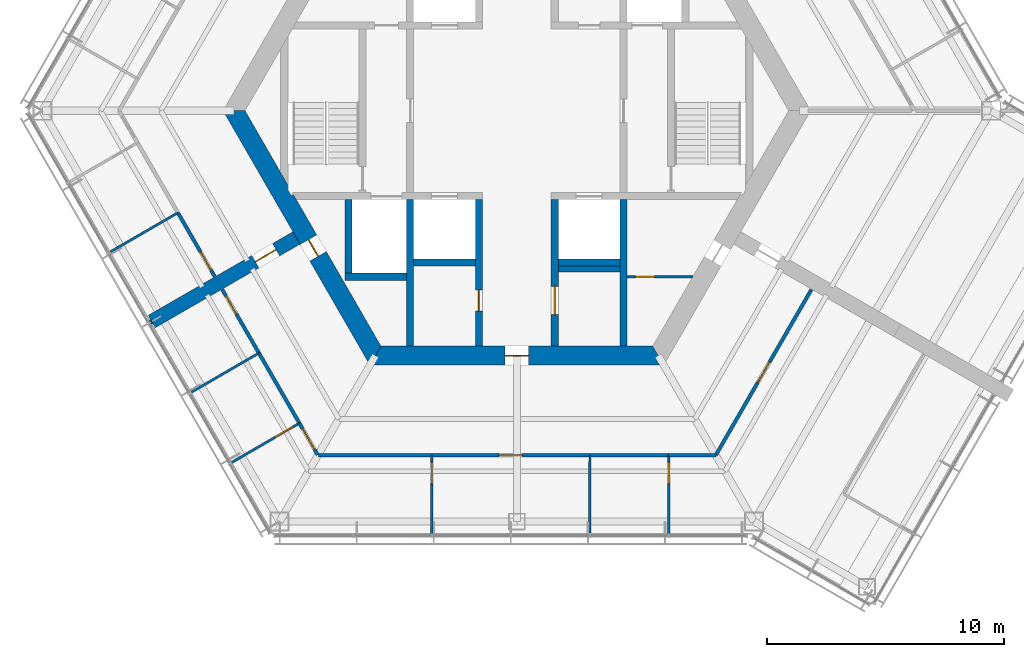
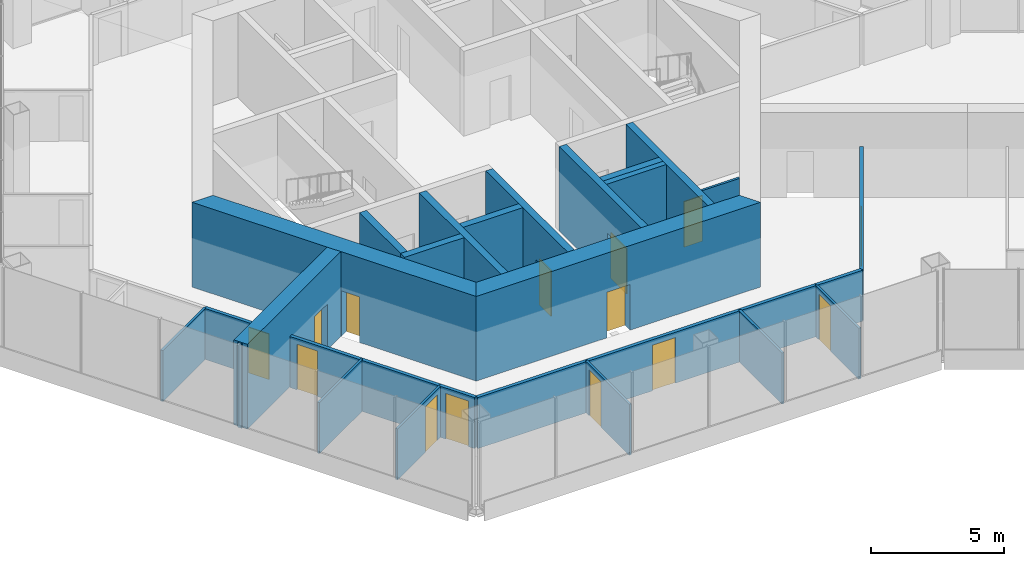
# One storey, part 7 of 13: 29 walls, 14 doors, 14 openings.
"""IFC4 building model written with IfcOpenShell, lengths in metres."""

from ifc_helpers import new_model, si_unit, direction, frame, frame_2d, origin, place, context, subcontext, project, spatial, polyline, rectangle, outline, extrude, material, layer, layer_set, type_object, element, fill, save


model = new_model("IFC4")

# Units and contexts
model_context = context("Model", 3, precision=1e-05, world=origin(), true_north=direction((0.0, 1.0)))
body_context = subcontext(model_context, "Body", "Model", "MODEL_VIEW")
ifc_project = project(units=[si_unit("LENGTHUNIT", "METRE"), si_unit("AREAUNIT", "SQUARE_METRE"), si_unit("VOLUMEUNIT", "CUBIC_METRE"), si_unit("PLANEANGLEUNIT", "RADIAN"), si_unit("MASSUNIT", "GRAM", prefix="KILO")], contexts=[model_context])

# Site, building, storey
site_placement = place(None, origin())
site = spatial("IfcSite", under=ifc_project, at=site_placement, CompositionType="ELEMENT")
building_placement = place(site_placement, origin())
building = spatial("IfcBuilding", under=site, at=building_placement, Name="Kasaneha Research Tower", CompositionType="ELEMENT")
storey_placement = place(building_placement, frame((0.0, 0.0, 298.60009765625)))
storey = spatial("IfcBuildingStorey", under=building, at=storey_placement, Name="L75", CompositionType="ELEMENT", Elevation=298.60009765625)

# Wall, opening, door
ifc_material_1 = material(Name="Concrete Fc60", Category="concrete")
ifc_layer_1 = layer(ifc_material_1, 0.300048828125)
ifc_layer_set_1 = layer_set([ifc_layer_1], Name="Core internal wall 300 Fc60")
wall_type_1 = type_object("IfcWallType", Name="Core internal wall 300 Fc60", PredefinedType="SHEAR", material=ifc_layer_set_1)
wall_1_placement = place(storey_placement, frame((-1.60009765625, -3.75, 0.0), z_axis=(0.0, 0.0, 1.0), x_axis=(0.0, -1.0, 0.0)))
wall_1 = element("IfcWall", 1, at=wall_1_placement, inside=storey, type_object=wall_type_1, Name="Core wall CSW L75", PredefinedType="SHEAR", context=body_context, shape_type="SweptSolid", body=[
    extrude(rectangle(XDim=6.175048828125, YDim=0.300048828125, at=frame_2d((3.08740234375, 0.0))), origin(), (0.0, 0.0, 1.0), 3.89990234375),
])
opening_1_placement = place(wall_1_placement, frame((3.800048828125, 0.0, 0.0)))
opening_1 = element("IfcOpeningElement", 2, at=opening_1_placement, cuts=wall_1, Name="Opening L75-D16", PredefinedType="OPENING", context=body_context, shape_type="SweptSolid", body=[
    extrude(rectangle(XDim=0.89990234375, YDim=2.10009765625, at=frame_2d((0.449951171875, 1.050048828125))), frame((0.0, 0.16015625, 0.0), z_axis=(0.0, -1.0, 0.0), x_axis=(1.0, 0.0, 0.0)), (0.0, 0.0, 1.0), 0.320068359375),
])
ifc_material_2 = material(Name="Steel", Category="steel")
door_type_1 = type_object("IfcDoorType", Name="Riser access door FD60 900x2100", OperationType="NOTDEFINED", PredefinedType="DOOR", material=ifc_material_2)
door_1_placement = place(opening_1_placement, origin())
door_1 = element("IfcDoor", 3, at=door_1_placement, inside=storey, type_object=door_type_1, Name="Electrical riser door L75-D16", OperationType="SINGLE_SWING_LEFT", OverallHeight=2.10009765625, OverallWidth=0.89990234375, PredefinedType="DOOR", context=body_context, shape_type="SweptSolid", body=[
    extrude(rectangle(XDim=0.89990234375, YDim=2.10009765625, at=frame_2d((0.449951171875, 1.050048828125))), frame((0.0, 0.02490234375, 0.0), z_axis=(0.0, -1.0, 0.0), x_axis=(1.0, 0.0, 0.0)), (0.0, 0.0, 1.0), 0.050048828125),
])
fill(opening_1, door_1)

wall_2_placement = place(storey_placement, frame((1.60009765625, -3.75, 0.0), z_axis=(0.0, 0.0, 1.0), x_axis=(0.0, -1.0, 0.0)))
wall_2 = element("IfcWall", 4, at=wall_2_placement, inside=storey, type_object=wall_type_1, Name="Core wall CSE L75", PredefinedType="SHEAR", context=body_context, shape_type="SweptSolid", body=[
    extrude(rectangle(XDim=6.175048828125, YDim=0.300048828125, at=frame_2d((3.08740234375, 0.0))), origin(), (0.0, 0.0, 1.0), 3.89990234375),
])
opening_2_placement = place(wall_2_placement, frame((3.64990234375, 0.0, 0.0)))
opening_2 = element("IfcOpeningElement", 5, at=opening_2_placement, cuts=wall_2, Name="Opening L75-D15", PredefinedType="OPENING", context=body_context, shape_type="SweptSolid", body=[
    extrude(rectangle(XDim=1.199951171875, YDim=2.10009765625, at=frame_2d((0.60009765625, 1.050048828125))), frame((0.0, 0.16015625, 0.0), z_axis=(0.0, -1.0, 0.0), x_axis=(1.0, 0.0, 0.0)), (0.0, 0.0, 1.0), 0.320068359375),
])
ifc_material_3 = material(Name="Steel", Category="steel")
door_type_2 = type_object("IfcDoorType", Name="Accessible toilet sliding door FD20 1200x2100", OperationType="SLIDING_TO_LEFT", PredefinedType="DOOR", material=ifc_material_3)
door_2_placement = place(opening_2_placement, origin())
door_2 = element("IfcDoor", 6, at=door_2_placement, inside=storey, type_object=door_type_2, Name="Accessible WC door L75-D15", OperationType="SLIDING_TO_LEFT", OverallHeight=2.10009765625, OverallWidth=1.199951171875, PredefinedType="DOOR", context=body_context, shape_type="SweptSolid", body=[
    extrude(rectangle(XDim=1.199951171875, YDim=2.10009765625, at=frame_2d((0.60009765625, 1.050048828125))), frame((0.0, 0.02490234375, 0.0), z_axis=(0.0, -1.0, 0.0), x_axis=(1.0, 0.0, 0.0)), (0.0, 0.0, 1.0), 0.050048828125),
])
fill(opening_2, door_2)

# Walls
for number, where, z_axis, x_axis, name in (
    (7, (-4.5, -3.75, 0.0), (0.0, 0.0, 1.0), (0.0, -1.0, 0.0), "Core wall SSW L75"),
    (8, (4.5, -3.75, 0.0), (0.0, 0.0, 1.0), (0.0, -1.0, 0.0), "Core wall SSE L75"),
):
    element("IfcWall", number, at=place(storey_placement, frame(where, z_axis=z_axis, x_axis=x_axis)), inside=storey, type_object=wall_type_1, Name=name, PredefinedType="SHEAR", context=body_context, shape_type="SweptSolid", body=[
        extrude(rectangle(XDim=6.175048828125, YDim=0.300048828125, at=frame_2d((3.08740234375, 0.0))), origin(), (0.0, 0.0, 1.0), 3.89990234375),
    ])
for number, where, z_axis, x_axis, name in (
    (9, (-4.35009765625, -6.39990234375, 0.0), (0.0, 0.0, 1.0), (1.0, 0.0, 0.0), "Core wall S1S L75"),
    (10, (1.75, -6.39990234375, 0.0), (0.0, 0.0, 1.0), (1.0, 0.0, 0.0), "Core wall S3S L75"),
    (11, (-7.25, -7.0, 0.0), (0.0, 0.0, 1.0), (1.0, 0.0, 0.0), "Core wall F2S L75"),
):
    element("IfcWall", number, at=place(storey_placement, frame(where, z_axis=z_axis, x_axis=x_axis)), inside=storey, type_object=wall_type_1, Name=name, PredefinedType="SHEAR", context=body_context, shape_type="SweptSolid", body=[
        extrude(rectangle(XDim=2.60009765625, YDim=0.300048828125, at=frame_2d((1.300048828125, 0.0))), origin(), (0.0, 0.0, 1.0), 3.89990234375),
    ])
wall_3_placement = place(storey_placement, frame((-7.10009765625, -3.75, 0.0), z_axis=(0.0, 0.0, 1.0), x_axis=(0.0, -1.0, 0.0)))
element("IfcWall", 12, at=wall_3_placement, inside=storey, type_object=wall_type_1, Name="Core wall F2W L75", PredefinedType="SHEAR", context=body_context, shape_type="SweptSolid", body=[
    extrude(rectangle(XDim=3.10009765625, YDim=0.300048828125, at=frame_2d((1.550048828125, 0.0))), origin(), (0.0, 0.0, 1.0), 3.89990234375),
])

# Wall, opening, door
ifc_material_4 = material(Name="Concrete Fc60", Category="concrete")
ifc_layer_2 = layer(ifc_material_4, 0.800048828125)
ifc_layer_set_2 = layer_set([ifc_layer_2], Name="Core wall 800 Fc60")
wall_type_2 = type_object("IfcWallType", Name="Core wall 800 Fc60", PredefinedType="SHEAR", material=ifc_layer_set_2)
wall_4_placement = place(storey_placement, frame((-11.92236328125, 0.0, 0.0), z_axis=(0.0, 0.0, 1.0), x_axis=(0.500004296715, -0.866022923061, 0.0)))
wall_4 = element("IfcWall", 13, at=wall_4_placement, inside=storey, type_object=wall_type_2, Name="Core wall 210 L75", PredefinedType="SHEAR", context=body_context, shape_type="SweptSolid", body=[
    extrude(outline(polyline([(-0.23095703125, -0.39990234375), (6.28125, -0.39990234375), (7.081298828125, -0.39990234375), (12.1533203125, -0.39990234375), (11.69140625, 0.39990234375), (7.081298828125, 0.39990234375), (6.28125, 0.39990234375), (0.23095703125, 0.39990234375), (-0.23095703125, -0.39990234375)])), origin(), (0.0, 0.0, 1.0), 3.89990234375),
])
opening_3_placement = place(wall_4_placement, frame((6.28125, 0.0, 0.0)))
opening_3 = element("IfcOpeningElement", 14, at=opening_3_placement, cuts=wall_4, Name="Opening L75-D06", PredefinedType="OPENING", context=body_context, shape_type="SweptSolid", body=[
    extrude(rectangle(XDim=0.800048828125, YDim=2.10009765625, at=frame_2d((0.39990234375, 1.050048828125))), frame((0.0, 0.41015625, 0.0), z_axis=(0.0, -1.0, 0.0), x_axis=(1.0, 0.0, 0.0)), (0.0, 0.0, 1.0), 0.820068359375),
])
ifc_material_5 = material(Name="Steel", Category="steel")
door_type_3 = type_object("IfcDoorType", Name="Riser access door FD60 800x2100", OperationType="NOTDEFINED", PredefinedType="DOOR", material=ifc_material_5)
door_3_placement = place(opening_3_placement, origin())
door_3 = element("IfcDoor", 15, at=door_3_placement, inside=storey, type_object=door_type_3, Name="Duct riser door L75-D06", OperationType="SINGLE_SWING_RIGHT", OverallHeight=2.10009765625, OverallWidth=0.800048828125, PredefinedType="DOOR", context=body_context, shape_type="SweptSolid", body=[
    extrude(rectangle(XDim=0.800048828125, YDim=2.10009765625, at=frame_2d((0.39990234375, 1.050048828125))), frame((0.0, 0.02490234375, 0.0), z_axis=(0.0, -1.0, 0.0), x_axis=(1.0, 0.0, 0.0)), (0.0, 0.0, 1.0), 0.050048828125),
])
fill(opening_3, door_3)

wall_5_placement = place(storey_placement, frame((-5.961181640625, -10.324951171875, 0.0), z_axis=(0.0, 0.0, 1.0), x_axis=(1.0, 0.0, 0.0)))
wall_5 = element("IfcWall", 16, at=wall_5_placement, inside=storey, type_object=wall_type_2, Name="Core wall 270 L75", PredefinedType="SHEAR", context=body_context, shape_type="SweptSolid", body=[
    extrude(outline(polyline([(-0.23095703125, -0.39990234375), (5.461181640625, -0.39990234375), (6.461181640625, -0.39990234375), (12.1533203125, -0.39990234375), (11.69140625, 0.39990234375), (6.461181640625, 0.39990234375), (5.461181640625, 0.39990234375), (0.23095703125, 0.39990234375), (-0.23095703125, -0.39990234375)])), origin(), (0.0, 0.0, 1.0), 3.89990234375),
])
opening_4_placement = place(wall_5_placement, frame((5.461181640625, 0.0, 0.0)))
opening_4 = element("IfcOpeningElement", 17, at=opening_4_placement, cuts=wall_5, Name="Opening L75-D03", PredefinedType="OPENING", context=body_context, shape_type="SweptSolid", body=[
    extrude(rectangle(XDim=1.0, YDim=2.10009765625, at=frame_2d((0.5, 1.050048828125))), frame((0.0, 0.41015625, 0.0), z_axis=(0.0, -1.0, 0.0), x_axis=(1.0, 0.0, 0.0)), (0.0, 0.0, 1.0), 0.820068359375),
])
ifc_material_6 = material(Name="Steel", Category="steel")
door_type_4 = type_object("IfcDoorType", Name="Fire door FD20 1000x2100", OperationType="NOTDEFINED", PredefinedType="DOOR", material=ifc_material_6)
door_4_placement = place(opening_4_placement, origin())
door_4 = element("IfcDoor", 18, at=door_4_placement, inside=storey, type_object=door_type_4, Name="Core door south L75-D03", OperationType="SINGLE_SWING_LEFT", OverallHeight=2.10009765625, OverallWidth=1.0, PredefinedType="DOOR", context=body_context, shape_type="SweptSolid", body=[
    extrude(rectangle(XDim=1.0, YDim=2.10009765625, at=frame_2d((0.5, 1.050048828125))), frame((0.0, 0.02490234375, 0.0), z_axis=(0.0, -1.0, 0.0), x_axis=(1.0, 0.0, 0.0)), (0.0, 0.0, 1.0), 0.050048828125),
])
fill(opening_4, door_4)

ifc_material_7 = material(Name="Gypsum board on steel studs, one layer each side", Category="steel")
ifc_layer_3 = layer(ifc_material_7, 0.10009765625)
ifc_layer_set_3 = layer_set([ifc_layer_3], Name="Office partition 100")
wall_type_3 = type_object("IfcWallType", Name="Office partition 100", PredefinedType="PARTITIONING", material=ifc_layer_set_3)
wall_6_placement = place(storey_placement, frame((4.64990234375, -7.0, 0.0), z_axis=(0.0, 0.0, 1.0), x_axis=(1.0, 0.0, 0.0)))
wall_6 = element("IfcWall", 19, at=wall_6_placement, inside=storey, type_object=wall_type_3, Name="Office partition RS-SE L75", PredefinedType="PARTITIONING", context=body_context, shape_type="SweptSolid", body=[
    extrude(outline(polyline([(0.0, -0.050048828125), (0.35009765625, -0.050048828125), (1.150146484375, -0.050048828125), (2.740234375, -0.050048828125), (2.76904296875, 0.0), (2.77490234375, 0.050048828125), (1.150146484375, 0.050048828125), (0.35009765625, 0.050048828125), (0.0, 0.050048828125), (0.0, -0.050048828125)])), origin(), (0.0, 0.0, 1.0), 2.349853515625),
])
opening_5_placement = place(wall_6_placement, frame((0.35009765625, 0.0, 0.0)))
opening_5 = element("IfcOpeningElement", 20, at=opening_5_placement, cuts=wall_6, Name="Opening L75-D25", PredefinedType="OPENING", context=body_context, shape_type="SweptSolid", body=[
    extrude(rectangle(XDim=0.800048828125, YDim=2.10009765625, at=frame_2d((0.39990234375, 1.050048828125))), frame((0.0, 0.06005859375, 0.0), z_axis=(0.0, -1.0, 0.0), x_axis=(1.0, 0.0, 0.0)), (0.0, 0.0, 1.0), 0.1201171875),
])
door_5_placement = place(opening_5_placement, origin())
door_5 = element("IfcDoor", 21, at=door_5_placement, inside=storey, type_object=door_type_3, Name="Drainage riser door L75-D25", OperationType="SINGLE_SWING_LEFT", OverallHeight=2.10009765625, OverallWidth=0.800048828125, PredefinedType="DOOR", context=body_context, shape_type="SweptSolid", body=[
    extrude(rectangle(XDim=0.800048828125, YDim=2.10009765625, at=frame_2d((0.39990234375, 1.050048828125))), frame((0.0, 0.02490234375, 0.0), z_axis=(0.0, -1.0, 0.0), x_axis=(1.0, 0.0, 0.0)), (0.0, 0.0, 1.0), 0.050048828125),
])
fill(opening_5, door_5)

# Walls
wall_7_placement = place(storey_placement, frame((-14.289306640625, -4.30029296875, 0.0), z_axis=(0.0, 0.0, 1.0), x_axis=(-0.865245913684, -0.501347692578, 0.0)))
element("IfcWall", 22, at=wall_7_placement, inside=storey, type_object=wall_type_3, Name="Office partition FBN11 L75", PredefinedType="PARTITIONING", context=body_context, shape_type="SweptSolid", body=[
    extrude(rectangle(XDim=3.275390625, YDim=0.10009765625, at=frame_2d((1.6376953125, 0.0))), origin(), (0.0, 0.0, 1.0), 2.349853515625),
])
wall_8_placement = place(storey_placement, frame((-10.873779296875, -10.216064453125, 0.0), z_axis=(0.0, 0.0, 1.0), x_axis=(-0.865292288087, -0.501267649243, 0.0)))
element("IfcWall", 23, at=wall_8_placement, inside=storey, type_object=wall_type_3, Name="Office partition FBS04 L75", PredefinedType="PARTITIONING", context=body_context, shape_type="SweptSolid", body=[
    extrude(rectangle(XDim=3.28564453125, YDim=0.10009765625, at=frame_2d((1.642822265625, 0.0))), origin(), (0.0, 0.0, 1.0), 2.349853515625),
])

# Wall, opening, door
wall_9_placement = place(storey_placement, frame((-9.165771484375, -13.17431640625, 0.0), z_axis=(0.0, 0.0, 1.0), x_axis=(-0.865342122637, -0.501181614577, 0.0)))
wall_9 = element("IfcWall", 24, at=wall_9_placement, inside=storey, type_object=wall_type_3, Name="Office partition FBS05 L75", PredefinedType="PARTITIONING", context=body_context, shape_type="SweptSolid", body=[
    extrude(rectangle(XDim=3.310546875, YDim=0.10009765625, at=frame_2d((1.6552734375, 0.0))), origin(), (0.0, 0.0, 1.0), 2.349853515625),
])
opening_6_placement = place(wall_9_placement, frame((0.300048828125, 0.0, 0.0)))
opening_6 = element("IfcOpeningElement", 25, at=opening_6_placement, cuts=wall_9, Name="Opening L75-D45", PredefinedType="OPENING", context=body_context, shape_type="SweptSolid", body=[
    extrude(rectangle(XDim=0.89990234375, YDim=2.10009765625, at=frame_2d((0.449951171875, 1.050048828125))), frame((0.0, 0.06005859375, 0.0), z_axis=(0.0, -1.0, 0.0), x_axis=(1.0, 0.0, 0.0)), (0.0, 0.0, 1.0), 0.1201171875),
])
ifc_material_8 = material(Name="Timber veneer", Category="wood")
door_type_5 = type_object("IfcDoorType", Name="Office door 900x2100", OperationType="SINGLE_SWING_LEFT", PredefinedType="DOOR", material=ifc_material_8)
door_6_placement = place(opening_6_placement, origin())
door_6 = element("IfcDoor", 26, at=door_6_placement, inside=storey, type_object=door_type_5, Name="Executive office door L75-D45", OperationType="SINGLE_SWING_LEFT", OverallHeight=2.10009765625, OverallWidth=0.89990234375, PredefinedType="DOOR", context=body_context, shape_type="SweptSolid", body=[
    extrude(rectangle(XDim=0.89990234375, YDim=2.10009765625, at=frame_2d((0.449951171875, 1.050048828125))), frame((0.0, 0.02490234375, 0.0), z_axis=(0.0, -1.0, 0.0), x_axis=(1.0, 0.0, 0.0)), (0.0, 0.0, 1.0), 0.050048828125),
])
fill(opening_6, door_6)

wall_10_placement = place(storey_placement, frame((-3.589111328125, -14.52490234375, 0.0), z_axis=(0.0, 0.0, 1.0), x_axis=(0.001401178566, -0.999999018349, 0.0)))
wall_10 = element("IfcWall", 27, at=wall_10_placement, inside=storey, type_object=wall_type_3, Name="Office partition FCS06 L75", PredefinedType="PARTITIONING", context=body_context, shape_type="SweptSolid", body=[
    extrude(rectangle(XDim=3.310546875, YDim=0.10009765625, at=frame_2d((1.6552734375, 0.0))), origin(), (0.0, 0.0, 1.0), 2.349853515625),
])
opening_7_placement = place(wall_10_placement, frame((0.300048828125, 0.0, 0.0)))
opening_7 = element("IfcOpeningElement", 28, at=opening_7_placement, cuts=wall_10, Name="Opening L75-D48", PredefinedType="OPENING", context=body_context, shape_type="SweptSolid", body=[
    extrude(rectangle(XDim=0.89990234375, YDim=2.10009765625, at=frame_2d((0.449951171875, 1.050048828125))), frame((0.0, 0.06005859375, 0.0), z_axis=(0.0, -1.0, 0.0), x_axis=(1.0, 0.0, 0.0)), (0.0, 0.0, 1.0), 0.1201171875),
])
door_7_placement = place(opening_7_placement, origin())
door_7 = element("IfcDoor", 29, at=door_7_placement, inside=storey, type_object=door_type_5, Name="Executive office door L75-D48", OperationType="SINGLE_SWING_LEFT", OverallHeight=2.10009765625, OverallWidth=0.89990234375, PredefinedType="DOOR", context=body_context, shape_type="SweptSolid", body=[
    extrude(rectangle(XDim=0.89990234375, YDim=2.10009765625, at=frame_2d((0.449951171875, 1.050048828125))), frame((0.0, 0.02490234375, 0.0), z_axis=(0.0, -1.0, 0.0), x_axis=(1.0, 0.0, 0.0)), (0.0, 0.0, 1.0), 0.050048828125),
])
fill(opening_7, door_7)

wall_11_placement = place(storey_placement, frame((6.40380859375, -14.52490234375, 0.0), z_axis=(0.0, 0.0, 1.0), x_axis=(0.001401178566, -0.999999018349, 0.0)))
wall_11 = element("IfcWall", 30, at=wall_11_placement, inside=storey, type_object=wall_type_3, Name="Office partition FCS07 L75", PredefinedType="PARTITIONING", context=body_context, shape_type="SweptSolid", body=[
    extrude(rectangle(XDim=3.310546875, YDim=0.10009765625, at=frame_2d((1.6552734375, 0.0))), origin(), (0.0, 0.0, 1.0), 2.349853515625),
])
opening_8_placement = place(wall_11_placement, frame((0.300048828125, 0.0, 0.0)))
opening_8 = element("IfcOpeningElement", 31, at=opening_8_placement, cuts=wall_11, Name="Opening L75-D49", PredefinedType="OPENING", context=body_context, shape_type="SweptSolid", body=[
    extrude(rectangle(XDim=0.89990234375, YDim=2.10009765625, at=frame_2d((0.449951171875, 1.050048828125))), frame((0.0, 0.06005859375, 0.0), z_axis=(0.0, -1.0, 0.0), x_axis=(1.0, 0.0, 0.0)), (0.0, 0.0, 1.0), 0.1201171875),
])
door_8_placement = place(opening_8_placement, origin())
door_8 = element("IfcDoor", 32, at=door_8_placement, inside=storey, type_object=door_type_5, Name="Executive office door L75-D49", OperationType="SINGLE_SWING_LEFT", OverallHeight=2.10009765625, OverallWidth=0.89990234375, PredefinedType="DOOR", context=body_context, shape_type="SweptSolid", body=[
    extrude(rectangle(XDim=0.89990234375, YDim=2.10009765625, at=frame_2d((0.449951171875, 1.050048828125))), frame((0.0, 0.02490234375, 0.0), z_axis=(0.0, -1.0, 0.0), x_axis=(1.0, 0.0, 0.0)), (0.0, 0.0, 1.0), 0.050048828125),
])
fill(opening_8, door_8)

# Wall
wall_12_placement = place(storey_placement, frame((3.077392578125, -17.800537109375, 0.0), z_axis=(0.0, 0.0, 1.0), x_axis=(0.001341580368, 0.999999100081, 0.0)))
element("IfcWall", 33, at=wall_12_placement, inside=storey, type_object=wall_type_3, Name="Office partition FCS08 L75", PredefinedType="PARTITIONING", context=body_context, shape_type="SweptSolid", body=[
    extrude(rectangle(XDim=3.275634765625, YDim=0.10009765625, at=frame_2d((1.6376953125, 0.0))), origin(), (0.0, 0.0, 1.0), 2.349853515625),
])

# Wall, opening, door
ifc_material_9 = material(Name="Concrete Fc60", Category="concrete")
ifc_layer_4 = layer(ifc_material_9, 0.60009765625)
ifc_layer_set_4 = layer_set([ifc_layer_4], Name="Spine wall 600 Fc60")
wall_type_4 = type_object("IfcWallType", Name="Spine wall 600 Fc60", PredefinedType="SHEAR", material=ifc_layer_set_4)
wall_13_placement = place(storey_placement, frame((-9.2880859375, -5.362548828125, 0.0), z_axis=(0.0, 0.0, 1.0), x_axis=(-0.866027473358, -0.499996415376, 0.0)))
wall_13 = element("IfcWall", 34, at=wall_13_placement, inside=storey, type_object=wall_type_4, Name="Spine wall B L75", PredefinedType="SHEAR", context=body_context, shape_type="SweptSolid", body=[
    extrude(rectangle(XDim=7.04541015625, YDim=0.60009765625, at=frame_2d((3.522705078125, 0.0))), origin(), (0.0, 0.0, 1.0), 3.89990234375),
])
opening_9_placement = place(wall_13_placement, frame((1.0, 0.0, 0.0)))
opening_9 = element("IfcOpeningElement", 35, at=opening_9_placement, cuts=wall_13, Name="Opening L75-D19", PredefinedType="OPENING", context=body_context, shape_type="SweptSolid", body=[
    extrude(rectangle(XDim=1.0, YDim=2.10009765625, at=frame_2d((0.5, 1.050048828125))), frame((0.0, 0.31005859375, 0.0), z_axis=(0.0, -1.0, 0.0), x_axis=(1.0, 0.0, 0.0)), (0.0, 0.0, 1.0), 0.6201171875),
])
ifc_material_10 = material(Name="Steel", Category="steel")
door_type_6 = type_object("IfcDoorType", Name="Specified fire door FD60 1000x2100", OperationType="NOTDEFINED", PredefinedType="DOOR", material=ifc_material_10)
door_9_placement = place(opening_9_placement, origin())
door_9 = element("IfcDoor", 36, at=door_9_placement, inside=storey, type_object=door_type_6, Name="Spine doorway B L75-D19", OperationType="SINGLE_SWING_LEFT", OverallHeight=2.10009765625, OverallWidth=1.0, PredefinedType="DOOR", context=body_context, shape_type="SweptSolid", body=[
    extrude(rectangle(XDim=1.0, YDim=2.10009765625, at=frame_2d((0.5, 1.050048828125))), frame((0.0, 0.02490234375, 0.0), z_axis=(0.0, -1.0, 0.0), x_axis=(1.0, 0.0, 0.0)), (0.0, 0.0, 1.0), 0.050048828125),
])
fill(opening_9, door_9)

ifc_material_11 = material(Name="Gypsum board on steel studs, two layers each side", Category="steel")
ifc_layer_5 = layer(ifc_material_11, 0.14990234375)
ifc_layer_set_5 = layer_set([ifc_layer_5], Name="Suite partition 150")
wall_type_5 = type_object("IfcWallType", Name="Suite partition 150", PredefinedType="PARTITIONING", material=ifc_layer_set_5)
wall_14_placement = place(storey_placement, frame((-12.739013671875, -6.9853515625, 0.0), z_axis=(0.0, 0.0, 1.0), x_axis=(-0.500017819788, 0.86601511528, 0.0)))
wall_14 = element("IfcWall", 37, at=wall_14_placement, inside=storey, type_object=wall_type_5, Name="Suite partition FBN04 L75", PredefinedType="PARTITIONING", context=body_context, shape_type="SweptSolid", body=[
    extrude(rectangle(XDim=3.1005859375, YDim=0.14990234375, at=frame_2d((1.55029296875, 0.0))), origin(), (0.0, 0.0, 1.0), 2.349853515625),
])
opening_10_placement = place(wall_14_placement, frame((0.300048828125, 0.0, 0.0)))
opening_10 = element("IfcOpeningElement", 38, at=opening_10_placement, cuts=wall_14, Name="Opening L75-D37", PredefinedType="OPENING", context=body_context, shape_type="SweptSolid", body=[
    extrude(rectangle(XDim=0.89990234375, YDim=2.10009765625, at=frame_2d((0.449951171875, 1.050048828125))), frame((0.0, 0.0849609375, 0.0), z_axis=(0.0, -1.0, 0.0), x_axis=(1.0, 0.0, 0.0)), (0.0, 0.0, 1.0), 0.169921875),
])
door_10_placement = place(opening_10_placement, origin())
door_10 = element("IfcDoor", 39, at=door_10_placement, inside=storey, type_object=door_type_5, Name="Executive office door L75-D37", OperationType="SINGLE_SWING_LEFT", OverallHeight=2.10009765625, OverallWidth=0.89990234375, PredefinedType="DOOR", context=body_context, shape_type="SweptSolid", body=[
    extrude(rectangle(XDim=0.89990234375, YDim=2.10009765625, at=frame_2d((0.449951171875, 1.050048828125))), frame((0.0, 0.02490234375, 0.0), z_axis=(0.0, -1.0, 0.0), x_axis=(1.0, 0.0, 0.0)), (0.0, 0.0, 1.0), 0.050048828125),
])
fill(opening_10, door_10)

wall_15_placement = place(storey_placement, frame((-10.868896484375, -10.224609375, 0.0), z_axis=(0.0, 0.0, 1.0), x_axis=(-0.499958760481, 0.866049212123, 0.0)))
wall_15 = element("IfcWall", 40, at=wall_15_placement, inside=storey, type_object=wall_type_5, Name="Suite partition FBS01 L75", PredefinedType="PARTITIONING", context=body_context, shape_type="SweptSolid", body=[
    extrude(rectangle(XDim=3.100341796875, YDim=0.14990234375, at=frame_2d((1.55029296875, 0.0))), origin(), (0.0, 0.0, 1.0), 2.349853515625),
])
opening_11_placement = place(wall_15_placement, frame((1.900390625, 0.0, 0.0)))
opening_11 = element("IfcOpeningElement", 41, at=opening_11_placement, cuts=wall_15, Name="Opening L75-D43", PredefinedType="OPENING", context=body_context, shape_type="SweptSolid", body=[
    extrude(rectangle(XDim=0.89990234375, YDim=2.10009765625, at=frame_2d((0.449951171875, 1.050048828125))), frame((0.0, 0.0849609375, 0.0), z_axis=(0.0, -1.0, 0.0), x_axis=(1.0, 0.0, 0.0)), (0.0, 0.0, 1.0), 0.169921875),
])
door_11_placement = place(opening_11_placement, origin())
door_11 = element("IfcDoor", 42, at=door_11_placement, inside=storey, type_object=door_type_5, Name="Executive office door L75-D43", OperationType="SINGLE_SWING_RIGHT", OverallHeight=2.10009765625, OverallWidth=0.89990234375, PredefinedType="DOOR", context=body_context, shape_type="SweptSolid", body=[
    extrude(rectangle(XDim=0.89990234375, YDim=2.10009765625, at=frame_2d((0.449951171875, 1.050048828125))), frame((0.0, 0.02490234375, 0.0), z_axis=(0.0, -1.0, 0.0), x_axis=(1.0, 0.0, 0.0)), (0.0, 0.0, 1.0), 0.050048828125),
])
fill(opening_11, door_11)

# Wall
wall_16_placement = place(storey_placement, frame((-9.160888671875, -13.1826171875, 0.0), z_axis=(0.0, 0.0, 1.0), x_axis=(-0.500032973541, 0.866006365664, 0.0)))
element("IfcWall", 43, at=wall_16_placement, inside=storey, type_object=wall_type_5, Name="Suite partition FBS02 L75", PredefinedType="PARTITIONING", context=body_context, shape_type="SweptSolid", body=[
    extrude(rectangle(XDim=3.425537109375, YDim=0.14990234375, at=frame_2d((1.712890625, 0.0))), origin(), (0.0, 0.0, 1.0), 2.349853515625),
])

# Wall, opening, door
wall_17_placement = place(storey_placement, frame((-8.397705078125, -14.5048828125, 0.0), z_axis=(0.0, 0.0, 1.0), x_axis=(-0.499933379091, 0.866063863968, 0.0)))
wall_17 = element("IfcWall", 44, at=wall_17_placement, inside=storey, type_object=wall_type_5, Name="Suite partition FBS03 L75", PredefinedType="PARTITIONING", context=body_context, shape_type="SweptSolid", body=[
    extrude(rectangle(XDim=1.536376953125, YDim=0.14990234375, at=frame_2d((0.76806640625, 0.0))), origin(), (0.0, 0.0, 1.0), 2.349853515625),
])
opening_12_placement = place(wall_17_placement, frame((0.268310546875, 0.0, 0.0)))
opening_12 = element("IfcOpeningElement", 45, at=opening_12_placement, cuts=wall_17, Name="Opening L75-D44", PredefinedType="OPENING", context=body_context, shape_type="SweptSolid", body=[
    extrude(rectangle(XDim=1.0, YDim=2.10009765625, at=frame_2d((0.5, 1.050048828125))), frame((0.0, 0.0849609375, 0.0), z_axis=(0.0, -1.0, 0.0), x_axis=(1.0, 0.0, 0.0)), (0.0, 0.0, 1.0), 0.169921875),
])
ifc_material_12 = material(Name="Steel", Category="steel")
door_type_7 = type_object("IfcDoorType", Name="Suite entrance door FD60 1000x2100", OperationType="NOTDEFINED", PredefinedType="DOOR", material=ifc_material_12)
door_12_placement = place(opening_12_placement, origin())
door_12 = element("IfcDoor", 46, at=door_12_placement, inside=storey, type_object=door_type_7, Name="Suite entrance door L75-D44", OperationType="SINGLE_SWING_LEFT", OverallHeight=2.10009765625, OverallWidth=1.0, PredefinedType="DOOR", context=body_context, shape_type="SweptSolid", body=[
    extrude(rectangle(XDim=1.0, YDim=2.10009765625, at=frame_2d((0.5, 1.050048828125))), frame((0.0, 0.02490234375, 0.0), z_axis=(0.0, -1.0, 0.0), x_axis=(1.0, 0.0, 0.0)), (0.0, 0.0, 1.0), 0.050048828125),
])
fill(opening_12, door_12)

# Walls
wall_18_placement = place(storey_placement, frame((-3.57958984375, -14.52490234375, 0.0), z_axis=(0.0, 0.0, 1.0), x_axis=(-1.0, 0.0, 0.0)))
element("IfcWall", 47, at=wall_18_placement, inside=storey, type_object=wall_type_5, Name="Suite partition FCS01 L75", PredefinedType="PARTITIONING", context=body_context, shape_type="SweptSolid", body=[
    extrude(rectangle(XDim=4.783203125, YDim=0.14990234375, at=frame_2d((2.3916015625, 0.0))), origin(), (0.0, 0.0, 1.0), 2.349853515625),
])
wall_19_placement = place(storey_placement, frame((6.413330078125, -14.52490234375, 0.0), z_axis=(0.0, 0.0, 1.0), x_axis=(-1.0, 0.0, 0.0)))
element("IfcWall", 48, at=wall_19_placement, inside=storey, type_object=wall_type_5, Name="Suite partition FCS02 L75", PredefinedType="PARTITIONING", context=body_context, shape_type="SweptSolid", body=[
    extrude(rectangle(XDim=3.3408203125, YDim=0.14990234375, at=frame_2d((1.67041015625, 0.0))), origin(), (0.0, 0.0, 1.0), 2.349853515625),
])
wall_20_placement = place(storey_placement, frame((8.385986328125, -14.52490234375, 0.0), z_axis=(0.0, 0.0, 1.0), x_axis=(-1.0, 0.0, 0.0)))
element("IfcWall", 49, at=wall_20_placement, inside=storey, type_object=wall_type_5, Name="Suite partition FCS03 L75", PredefinedType="PARTITIONING", context=body_context, shape_type="SweptSolid", body=[
    extrude(rectangle(XDim=1.982177734375, YDim=0.14990234375, at=frame_2d((0.9912109375, 0.0))), origin(), (0.0, 0.0, 1.0), 2.349853515625),
])

# Wall, opening, door
wall_21_placement = place(storey_placement, frame((12.4189453125, -7.53955078125, 0.0), z_axis=(0.0, 0.0, 1.0), x_axis=(-0.499996687877, -0.866027316031, 0.0)))
wall_21 = element("IfcWall", 50, at=wall_21_placement, inside=storey, type_object=wall_type_5, Name="Suite partition FCS04 L75", PredefinedType="PARTITIONING", context=body_context, shape_type="SweptSolid", body=[
    extrude(rectangle(XDim=8.06591796875, YDim=0.14990234375, at=frame_2d((4.032958984375, 0.0))), origin(), (0.0, 0.0, 1.0), 2.349853515625),
])
opening_13_placement = place(wall_21_placement, frame((3.532958984375, 0.0, 0.0)))
opening_13 = element("IfcOpeningElement", 51, at=opening_13_placement, cuts=wall_21, Name="Opening L75-D46", PredefinedType="OPENING", context=body_context, shape_type="SweptSolid", body=[
    extrude(rectangle(XDim=1.0, YDim=2.10009765625, at=frame_2d((0.5, 1.050048828125))), frame((0.0, 0.0849609375, 0.0), z_axis=(0.0, -1.0, 0.0), x_axis=(1.0, 0.0, 0.0)), (0.0, 0.0, 1.0), 0.169921875),
])
door_13_placement = place(opening_13_placement, origin())
door_13 = element("IfcDoor", 52, at=door_13_placement, inside=storey, type_object=door_type_7, Name="Suite entrance door L75-D46", OperationType="SINGLE_SWING_RIGHT", OverallHeight=2.10009765625, OverallWidth=1.0, PredefinedType="DOOR", context=body_context, shape_type="SweptSolid", body=[
    extrude(rectangle(XDim=1.0, YDim=2.10009765625, at=frame_2d((0.5, 1.050048828125))), frame((0.0, 0.02490234375, 0.0), z_axis=(0.0, -1.0, 0.0), x_axis=(1.0, 0.0, 0.0)), (0.0, 0.0, 1.0), 0.050048828125),
])
fill(opening_13, door_13)

wall_22_placement = place(storey_placement, frame((3.081787109375, -14.52490234375, 0.0), z_axis=(0.0, 0.0, 1.0), x_axis=(-1.0, 0.0, 0.0)))
wall_22 = element("IfcWall", 53, at=wall_22_placement, inside=storey, type_object=wall_type_5, Name="Suite partition FCS05 L75", PredefinedType="PARTITIONING", context=body_context, shape_type="SweptSolid", body=[
    extrude(rectangle(XDim=6.6708984375, YDim=0.14990234375, at=frame_2d((3.33544921875, 0.0))), origin(), (0.0, 0.0, 1.0), 2.349853515625),
])
opening_14_placement = place(wall_22_placement, frame((2.83544921875, 0.0, 0.0)))
opening_14 = element("IfcOpeningElement", 54, at=opening_14_placement, cuts=wall_22, Name="Opening L75-D47", PredefinedType="OPENING", context=body_context, shape_type="SweptSolid", body=[
    extrude(rectangle(XDim=1.0, YDim=2.10009765625, at=frame_2d((0.5, 1.050048828125))), frame((0.0, 0.0849609375, 0.0), z_axis=(0.0, -1.0, 0.0), x_axis=(1.0, 0.0, 0.0)), (0.0, 0.0, 1.0), 0.169921875),
])
door_14_placement = place(opening_14_placement, origin())
door_14 = element("IfcDoor", 55, at=door_14_placement, inside=storey, type_object=door_type_7, Name="Suite entrance door L75-D47", OperationType="SINGLE_SWING_LEFT", OverallHeight=2.10009765625, OverallWidth=1.0, PredefinedType="DOOR", context=body_context, shape_type="SweptSolid", body=[
    extrude(rectangle(XDim=1.0, YDim=2.10009765625, at=frame_2d((0.5, 1.050048828125))), frame((0.0, 0.02490234375, 0.0), z_axis=(0.0, -1.0, 0.0), x_axis=(1.0, 0.0, 0.0)), (0.0, 0.0, 1.0), 0.050048828125),
])
fill(opening_14, door_14)

# Walls
ifc_material_13 = material(Name="Gypsum board on steel studs, two layers each side", Category="steel")
ifc_layer_6 = layer(ifc_material_13, 0.175048828125)
ifc_layer_set_6 = layer_set([ifc_layer_6], Name="Tenancy fire partition 175")
wall_type_6 = type_object("IfcWallType", Name="Tenancy fire partition 175", PredefinedType="PARTITIONING", material=ifc_layer_set_6)
wall_23_placement = place(storey_placement, frame((-15.3896484375, -8.88525390625, 0.0), z_axis=(0.0, 0.0, 1.0), x_axis=(-0.866622456874, -0.498964444867, 0.0)))
element("IfcWall", 56, at=wall_23_placement, inside=storey, type_object=wall_type_6, Name="Spine wall closer SW4-600 L75", PredefinedType="PARTITIONING", context=body_context, shape_type="SweptSolid", body=[
    extrude(rectangle(XDim=0.065185546875, YDim=0.175048828125, at=frame_2d((0.03271484375, 0.0))), origin(), (0.0, 0.0, 1.0), 3.89990234375),
])
ifc_material_14 = material(Name="Concrete block lining", Category="concrete")
ifc_layer_7 = layer(ifc_material_14, 0.25)
ifc_layer_set_7 = layer_set([ifc_layer_7], Name="WC plumbing wall 250")
wall_type_7 = type_object("IfcWallType", Name="WC plumbing wall 250", PredefinedType="PLUMBINGWALL", material=ifc_layer_set_7)
wall_24_placement = place(storey_placement, frame((1.75, -6.675048828125, 0.0), z_axis=(0.0, 0.0, 1.0), x_axis=(1.0, 0.0, 0.0)))
element("IfcWall", 57, at=wall_24_placement, inside=storey, type_object=wall_type_7, Name="WC plumbing wall A L75", PredefinedType="PLUMBINGWALL", context=body_context, shape_type="SweptSolid", body=[
    extrude(rectangle(XDim=2.60009765625, YDim=0.25, at=frame_2d((1.300048828125, 0.0))), origin(), (0.0, 0.0, 1.0), 3.89990234375),
])

save(model, "model.ifc")
